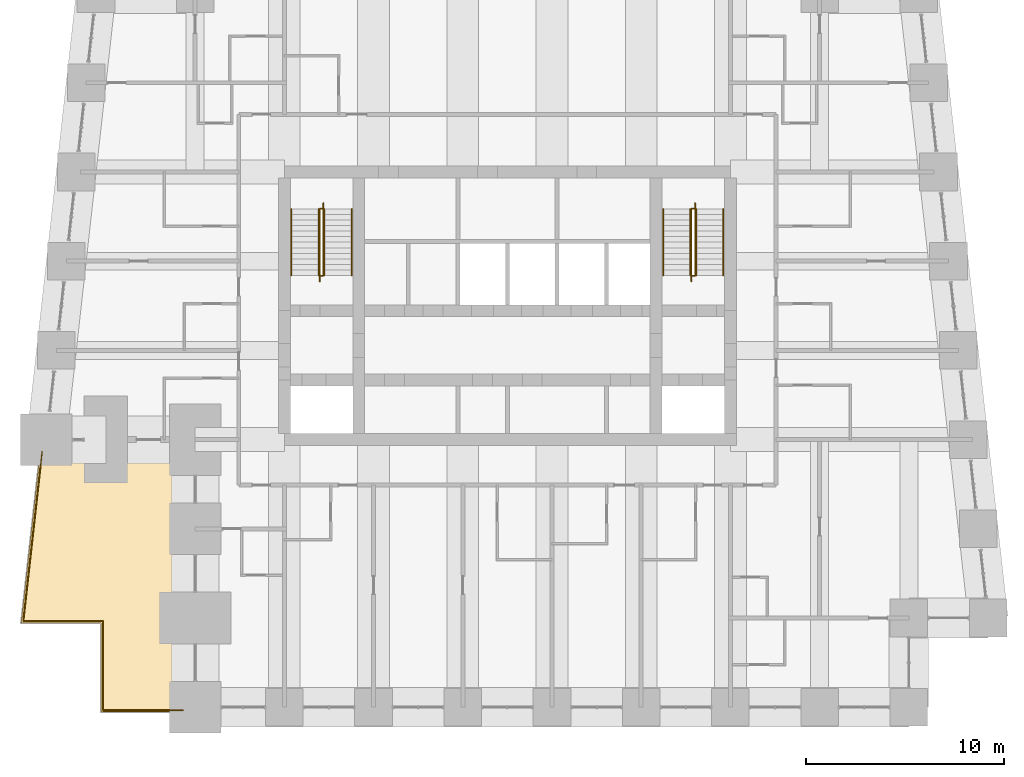
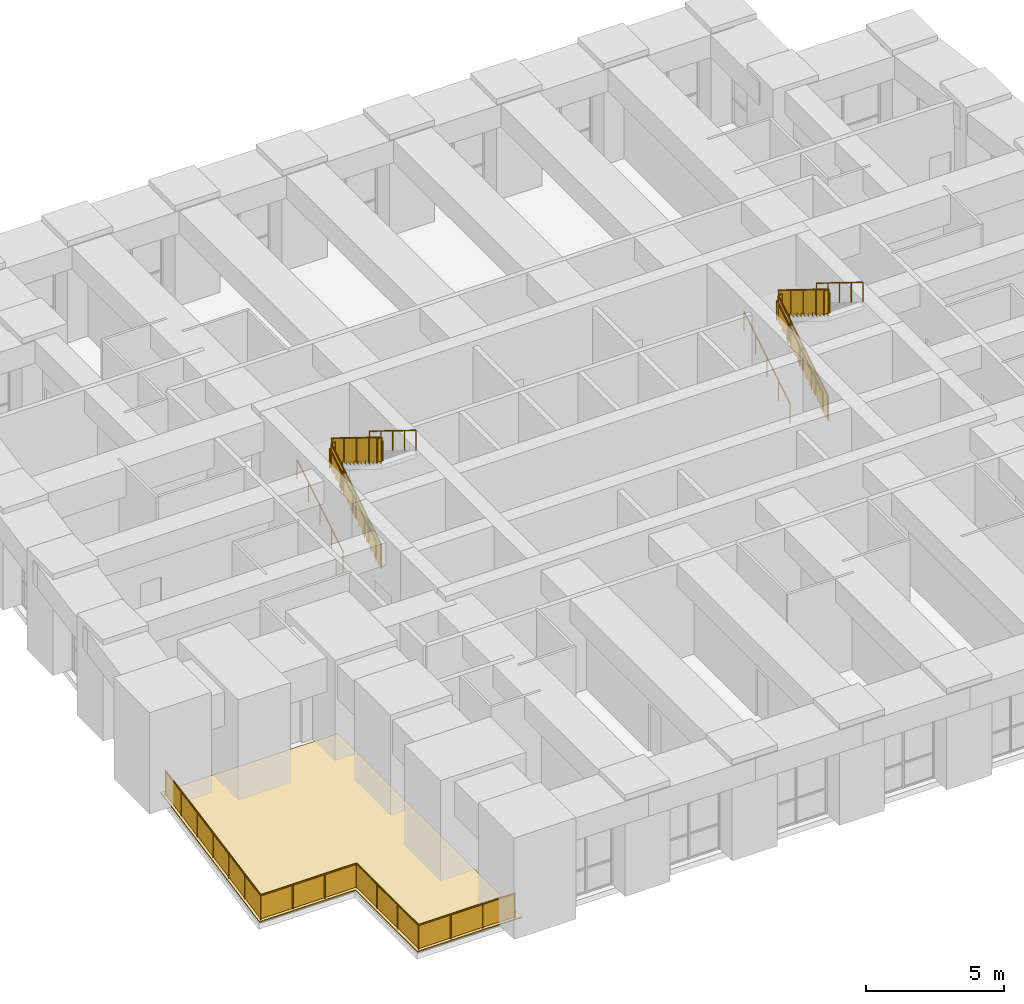
# One storey, part 16 of 16: 13 railings, 1 covering.
"""IFC4 building model written with IfcOpenShell, lengths in metres."""

from ifc_helpers import new_model, si_unit, direction, frame, origin, origin_2d, place, context, subcontext, project, spatial, polyline, circle, outline, extrude, material, layer, layer_set, type_object, element, save


model = new_model("IFC4")

# Units and contexts
model_context = context("Model", 3, precision=1e-05, world=origin(), true_north=direction((0.0, 1.0)))
body_context = subcontext(model_context, "Body", "Model", "MODEL_VIEW")
ifc_project = project(units=[si_unit("LENGTHUNIT", "METRE"), si_unit("AREAUNIT", "SQUARE_METRE"), si_unit("VOLUMEUNIT", "CUBIC_METRE"), si_unit("PLANEANGLEUNIT", "RADIAN"), si_unit("MASSUNIT", "GRAM", prefix="KILO")], contexts=[model_context])

# Site, building, storey
site_placement = place(None, origin())
site = spatial("IfcSite", under=ifc_project, at=site_placement, CompositionType="ELEMENT")
building_placement = place(site_placement, origin())
building = spatial("IfcBuilding", under=site, at=building_placement, Name="Kilele Tower Hotel", CompositionType="ELEMENT")
storey_placement = place(building_placement, frame((0.0, 0.0, 157.89990234375)))
storey = spatial("IfcBuildingStorey", under=building, at=storey_placement, Name="L40", CompositionType="ELEMENT", Elevation=157.89990234375)

# Railings
ifc_material_1 = material(Name="Toughened laminated glass balustrade", Category="glass")
railing_type_1 = type_object("IfcRailingType", Name="Glass balustrade 1100", PredefinedType="BALUSTRADE", material=ifc_material_1)
railing_1_placement = place(storey_placement, frame((8.39990234375, -0.14990234375, 0.050048828125)))
element("IfcRailing", 1, at=railing_1_placement, inside=storey, type_object=railing_type_1, Name="Terrace balustrade", PredefinedType="BALUSTRADE", context=body_context, shape_type="SweptSolid", body=[
    extrude(circle(Radius=0.030029296875, at=origin_2d()), frame((0.0, 0.0, 1.070068359375), z_axis=(-1.0, 0.0, 0.0), x_axis=(0.0, -1.0, 0.0)), (0.0, 0.0, 1.0), 4.0498046875),
    extrude(circle(Radius=0.030029296875, at=origin_2d()), frame((-4.0498046875, 0.0, 1.070068359375), z_axis=(0.0, 1.0, 0.0), x_axis=(-1.0, 0.0, 0.0)), (0.0, 0.0, 1.0), 4.5),
    extrude(circle(Radius=0.030029296875, at=origin_2d()), frame((-4.0498046875, 4.5, 1.070068359375), z_axis=(-1.0, 0.0, 0.0), x_axis=(0.0, -1.0, 0.0)), (0.0, 0.0, 1.0), 4.017578125),
    extrude(circle(Radius=0.030029296875, at=origin_2d()), frame((-8.0673828125, 4.5, 1.070068359375), z_axis=(0.110428411145, 0.993884080772, 0.0), x_axis=(-0.993884080772, 0.110428411145, 0.0)), (0.0, 0.0, 1.0), 8.602294921875),
    extrude(circle(Radius=0.02490234375, at=origin_2d()), origin(), (0.0, 0.0, 1.0), 1.0400390625),
    extrude(circle(Radius=0.02490234375, at=origin_2d()), frame((-1.349853515625, 0.0, 0.0)), (0.0, 0.0, 1.0), 1.0400390625),
    extrude(circle(Radius=0.02490234375, at=origin_2d()), frame((-2.699951171875, 0.0, 0.0)), (0.0, 0.0, 1.0), 1.0400390625),
    extrude(circle(Radius=0.02490234375, at=origin_2d()), frame((-4.0498046875, 0.0, 0.0)), (0.0, 0.0, 1.0), 1.0400390625),
    extrude(circle(Radius=0.02490234375, at=origin_2d()), frame((-4.0498046875, 1.5, 0.0)), (0.0, 0.0, 1.0), 1.0400390625),
    extrude(circle(Radius=0.02490234375, at=origin_2d()), frame((-4.0498046875, 3.0, 0.0)), (0.0, 0.0, 1.0), 1.0400390625),
    extrude(circle(Radius=0.02490234375, at=origin_2d()), frame((-4.0498046875, 4.5, 0.0)), (0.0, 0.0, 1.0), 1.0400390625),
    extrude(circle(Radius=0.02490234375, at=origin_2d()), frame((-5.388916015625, 4.5, 0.0)), (0.0, 0.0, 1.0), 1.0400390625),
    extrude(circle(Radius=0.02490234375, at=origin_2d()), frame((-6.728271484375, 4.5, 0.0)), (0.0, 0.0, 1.0), 1.0400390625),
    extrude(circle(Radius=0.02490234375, at=origin_2d()), frame((-8.0673828125, 4.5, 0.0)), (0.0, 0.0, 1.0), 1.0400390625),
    extrude(circle(Radius=0.02490234375, at=origin_2d()), frame((-7.9091796875, 5.925048828125, 0.0)), (0.0, 0.0, 1.0), 1.0400390625),
    extrude(circle(Radius=0.02490234375, at=origin_2d()), frame((-7.750732421875, 7.349853515625, 0.0)), (0.0, 0.0, 1.0), 1.0400390625),
    extrude(circle(Radius=0.02490234375, at=origin_2d()), frame((-7.59228515625, 8.77490234375, 0.0)), (0.0, 0.0, 1.0), 1.0400390625),
    extrude(circle(Radius=0.02490234375, at=origin_2d()), frame((-7.43408203125, 10.199951171875, 0.0)), (0.0, 0.0, 1.0), 1.0400390625),
    extrude(circle(Radius=0.02490234375, at=origin_2d()), frame((-7.27587890625, 11.624755859375, 0.0)), (0.0, 0.0, 1.0), 1.0400390625),
    extrude(circle(Radius=0.02490234375, at=origin_2d()), frame((-7.117431640625, 13.0498046875, 0.0)), (0.0, 0.0, 1.0), 1.0400390625),
    extrude(outline(polyline([(0.0, 0.030029296875), (4.037353515625, 0.030029296875), (4.037353515625, 1.0400390625), (0.0, 1.0400390625), (0.0, 0.030029296875)])), frame((0.0, -0.0087890625, 0.0), z_axis=(0.0, 1.0, 0.0), x_axis=(-1.0, 0.0, 0.0)), (0.0, 0.0, 1.0), 0.017578125),
    extrude(outline(polyline([(0.012451171875, 0.030029296875), (4.487548828125, 0.030029296875), (4.487548828125, 1.0400390625), (0.012451171875, 1.0400390625), (0.012451171875, 0.030029296875)])), frame((-4.05859375, 0.0, 0.0), z_axis=(1.0, 0.0, 0.0), x_axis=(0.0, 1.0, 0.0)), (0.0, 0.0, 1.0), 0.017578125),
    extrude(outline(polyline([(0.012451171875, 0.030029296875), (4.005126953125, 0.030029296875), (4.005126953125, 1.0400390625), (0.012451171875, 1.0400390625), (0.012451171875, 0.030029296875)])), frame((-4.0498046875, 4.4912109375, 0.0), z_axis=(0.0, 1.0, 0.0), x_axis=(-1.0, 0.0, 0.0)), (0.0, 0.0, 1.0), 0.017578125),
    extrude(outline(polyline([(0.012451171875, 0.030029296875), (8.602294921875, 0.030029296875), (8.602294921875, 1.0400390625), (0.012451171875, 1.0400390625), (0.012451171875, 0.030029296875)])), frame((-8.076171875, 4.5009765625, 0.0), z_axis=(0.993884080772, -0.110428411145, 0.0), x_axis=(0.110428411145, 0.993884080772, 0.0)), (0.0, 0.0, 1.0), 0.017578125),
])
ifc_material_2 = material(Name="Steel handrail", Category="steel")
railing_type_2 = type_object("IfcRailingType", Name="Handrail 900", PredefinedType="HANDRAIL", material=ifc_material_2)
for number, where, name in (
    (2, (13.85009765625, 21.77490234375, 0.173095703125), "Handrail ST1 flight 1"),
    (3, (15.22509765625, 21.77490234375, 0.173095703125), "Handrail ST1 flight 1"),
):
    element("IfcRailing", number, at=place(storey_placement, frame(where)), inside=storey, type_object=railing_type_2, Name=name, PredefinedType="HANDRAIL", context=body_context, shape_type="SweptSolid", body=[
        extrude(circle(Radius=0.02490234375, at=origin_2d()), frame((0.0, 0.0, 0.875), z_axis=(0.0, 0.850623216509, 0.525775754039), x_axis=(-1.0, 0.0, 0.0)), (0.0, 0.0, 1.0), 3.9501953125),
        extrude(circle(Radius=0.02001953125, at=origin_2d()), origin(), (0.0, 0.0, 1.0), 0.849853515625),
        extrude(circle(Radius=0.02001953125, at=origin_2d()), frame((0.0, 0.840087890625, 0.519287109375)), (0.0, 0.0, 1.0), 0.849853515625),
        extrude(circle(Radius=0.02001953125, at=origin_2d()), frame((0.0, 1.68017578125, 1.03857421875)), (0.0, 0.0, 1.0), 0.849853515625),
        extrude(circle(Radius=0.02001953125, at=origin_2d()), frame((0.0, 2.52001953125, 1.5576171875)), (0.0, 0.0, 1.0), 0.849853515625),
        extrude(circle(Radius=0.02001953125, at=origin_2d()), frame((0.0, 3.360107421875, 2.076904296875)), (0.0, 0.0, 1.0), 0.849853515625),
    ])
for number, where, name in (
    (4, (15.52490234375, 25.135009765625, 2.423095703125), "Handrail ST1 flight 2"),
    (5, (16.89990234375, 25.135009765625, 2.423095703125), "Handrail ST1 flight 2"),
):
    element("IfcRailing", number, at=place(storey_placement, frame(where)), inside=storey, type_object=railing_type_2, Name=name, PredefinedType="HANDRAIL", context=body_context, shape_type="SweptSolid", body=[
        extrude(circle(Radius=0.02490234375, at=origin_2d()), frame((0.0, 0.0, 0.875), z_axis=(0.0, -0.850623216509, 0.525775754039), x_axis=(1.0, 0.0, 0.0)), (0.0, 0.0, 1.0), 3.9501953125),
        extrude(circle(Radius=0.02001953125, at=origin_2d()), origin(), (0.0, 0.0, 1.0), 0.849853515625),
        extrude(circle(Radius=0.02001953125, at=origin_2d()), frame((0.0, -0.840087890625, 0.519287109375)), (0.0, 0.0, 1.0), 0.849853515625),
        extrude(circle(Radius=0.02001953125, at=origin_2d()), frame((0.0, -1.68017578125, 1.03857421875)), (0.0, 0.0, 1.0), 0.849853515625),
        extrude(circle(Radius=0.02001953125, at=origin_2d()), frame((0.0, -2.52001953125, 1.5576171875)), (0.0, 0.0, 1.0), 0.849853515625),
        extrude(circle(Radius=0.02001953125, at=origin_2d()), frame((0.0, -3.360107421875, 2.076904296875)), (0.0, 0.0, 1.0), 0.849853515625),
    ])
for number, where, name in (
    (6, (32.60009765625, 21.77490234375, 0.173095703125), "Handrail ST2 flight 1"),
    (7, (33.97509765625, 21.77490234375, 0.173095703125), "Handrail ST2 flight 1"),
):
    element("IfcRailing", number, at=place(storey_placement, frame(where)), inside=storey, type_object=railing_type_2, Name=name, PredefinedType="HANDRAIL", context=body_context, shape_type="SweptSolid", body=[
        extrude(circle(Radius=0.02490234375, at=origin_2d()), frame((0.0, 0.0, 0.875), z_axis=(0.0, 0.850623216509, 0.525775754039), x_axis=(-1.0, 0.0, 0.0)), (0.0, 0.0, 1.0), 3.9501953125),
        extrude(circle(Radius=0.02001953125, at=origin_2d()), origin(), (0.0, 0.0, 1.0), 0.849853515625),
        extrude(circle(Radius=0.02001953125, at=origin_2d()), frame((0.0, 0.840087890625, 0.519287109375)), (0.0, 0.0, 1.0), 0.849853515625),
        extrude(circle(Radius=0.02001953125, at=origin_2d()), frame((0.0, 1.68017578125, 1.03857421875)), (0.0, 0.0, 1.0), 0.849853515625),
        extrude(circle(Radius=0.02001953125, at=origin_2d()), frame((0.0, 2.52001953125, 1.5576171875)), (0.0, 0.0, 1.0), 0.849853515625),
        extrude(circle(Radius=0.02001953125, at=origin_2d()), frame((0.0, 3.360107421875, 2.076904296875)), (0.0, 0.0, 1.0), 0.849853515625),
    ])
for number, where, name in (
    (8, (34.27490234375, 25.135009765625, 2.423095703125), "Handrail ST2 flight 2"),
    (9, (35.64990234375, 25.135009765625, 2.423095703125), "Handrail ST2 flight 2"),
):
    element("IfcRailing", number, at=place(storey_placement, frame(where)), inside=storey, type_object=railing_type_2, Name=name, PredefinedType="HANDRAIL", context=body_context, shape_type="SweptSolid", body=[
        extrude(circle(Radius=0.02490234375, at=origin_2d()), frame((0.0, 0.0, 0.875), z_axis=(0.0, -0.850623216509, 0.525775754039), x_axis=(1.0, 0.0, 0.0)), (0.0, 0.0, 1.0), 3.9501953125),
        extrude(circle(Radius=0.02001953125, at=origin_2d()), origin(), (0.0, 0.0, 1.0), 0.849853515625),
        extrude(circle(Radius=0.02001953125, at=origin_2d()), frame((0.0, -0.840087890625, 0.519287109375)), (0.0, 0.0, 1.0), 0.849853515625),
        extrude(circle(Radius=0.02001953125, at=origin_2d()), frame((0.0, -1.68017578125, 1.03857421875)), (0.0, 0.0, 1.0), 0.849853515625),
        extrude(circle(Radius=0.02001953125, at=origin_2d()), frame((0.0, -2.52001953125, 1.5576171875)), (0.0, 0.0, 1.0), 0.849853515625),
        extrude(circle(Radius=0.02001953125, at=origin_2d()), frame((0.0, -3.360107421875, 2.076904296875)), (0.0, 0.0, 1.0), 0.849853515625),
    ])
ifc_material_3 = material(Name="Steel guard", Category="steel")
railing_type_3 = type_object("IfcRailingType", Name="Stair guard 1100", PredefinedType="GUARDRAIL", material=ifc_material_3)
railing_2_placement = place(storey_placement, frame((15.284912109375, 21.4951171875, 0.0)))
element("IfcRailing", 10, at=railing_2_placement, inside=storey, type_object=railing_type_3, Name="Stair well guard ST1 flight 1", PredefinedType="GUARDRAIL", context=body_context, shape_type="SweptSolid", body=[
    extrude(circle(Radius=0.02490234375, at=origin_2d()), frame((0.0, 0.0, 1.0751953125), z_axis=(0.0, 0.850606632239, 0.525802583857), x_axis=(-1.0, 0.0, 0.0)), (0.0, 0.0, 1.0), 4.279052734375),
    extrude(circle(Radius=0.02490234375, at=origin_2d()), frame((0.0, 3.639892578125, 3.3251953125), z_axis=(1.0, 0.0, 0.0), x_axis=(0.0, 1.0, 0.0)), (0.0, 0.0, 1.0), 0.18017578125),
    extrude(circle(Radius=0.02490234375, at=origin_2d()), origin(), (0.0, 0.0, 1.0), 1.050048828125),
    extrude(circle(Radius=0.02490234375, at=origin_2d()), frame((0.0, 0.909912109375, 0.5625)), (0.0, 0.0, 1.0), 1.050048828125),
    extrude(circle(Radius=0.02490234375, at=origin_2d()), frame((0.0, 1.81982421875, 1.125)), (0.0, 0.0, 1.0), 1.050048828125),
    extrude(circle(Radius=0.02490234375, at=origin_2d()), frame((0.0, 2.72998046875, 1.6875)), (0.0, 0.0, 1.0), 1.050048828125),
    extrude(circle(Radius=0.02490234375, at=origin_2d()), frame((0.0, 3.639892578125, 2.25)), (0.0, 0.0, 1.0), 1.050048828125),
    extrude(circle(Radius=0.02490234375, at=origin_2d()), frame((0.18017578125, 3.639892578125, 2.25)), (0.0, 0.0, 1.0), 1.050048828125),
    extrude(outline(polyline([(0.012451171875, 0.030029296875), (0.25, 0.030029296875), (0.25, 0.203125), (0.530029296875, 0.203125), (0.530029296875, 0.376220703125), (0.81005859375, 0.376220703125), (0.81005859375, 0.54931640625), (1.08984375, 0.54931640625), (1.08984375, 0.722412109375), (1.369873046875, 0.722412109375), (1.369873046875, 0.8955078125), (1.64990234375, 0.8955078125), (1.64990234375, 1.068603515625), (1.929931640625, 1.068603515625), (1.929931640625, 1.241455078125), (2.2099609375, 1.241455078125), (2.2099609375, 1.41455078125), (2.489990234375, 1.41455078125), (2.489990234375, 1.587646484375), (2.769775390625, 1.587646484375), (2.769775390625, 1.7607421875), (3.0498046875, 1.7607421875), (3.0498046875, 1.933837890625), (3.329833984375, 1.933837890625), (3.329833984375, 2.10693359375), (3.60986328125, 2.10693359375), (3.60986328125, 2.280029296875), (3.62744140625, 2.280029296875), (3.62744140625, 3.287841796875), (0.012451171875, 1.053466796875), (0.012451171875, 0.030029296875)])), frame((-0.005859375, 0.0, 0.0), z_axis=(1.0, 0.0, 0.0), x_axis=(0.0, 1.0, 0.0)), (0.0, 0.0, 1.0), 0.011962890625),
    extrude(outline(polyline([(0.012451171875, 0.030029296875), (0.18017578125, 0.030029296875), (0.18017578125, 1.050048828125), (0.012451171875, 1.050048828125), (0.012451171875, 0.030029296875)])), frame((0.0, 3.64599609375, 2.25), z_axis=(0.0, -1.0, 0.0), x_axis=(1.0, 0.0, 0.0)), (0.0, 0.0, 1.0), 0.011962890625),
])
railing_3_placement = place(storey_placement, frame((15.465087890625, 25.4150390625, 2.25)))
element("IfcRailing", 11, at=railing_3_placement, inside=storey, type_object=railing_type_3, Name="Stair well guard ST1 flight 2", PredefinedType="GUARDRAIL", context=body_context, shape_type="SweptSolid", body=[
    extrude(circle(Radius=0.02490234375, at=origin_2d()), frame((0.0, 0.0, 1.0751953125), z_axis=(0.0, -0.850622404505, 0.525777067734), x_axis=(1.0, 0.0, 0.0)), (0.0, 0.0, 1.0), 4.279296875),
    extrude(circle(Radius=0.02490234375, at=origin_2d()), frame((0.0, -3.64013671875, 3.3251953125), z_axis=(-1.0, 0.0, 0.0), x_axis=(0.0, -1.0, 0.0)), (0.0, 0.0, 1.0), 0.18017578125),
    extrude(circle(Radius=0.02490234375, at=origin_2d()), origin(), (0.0, 0.0, 1.0), 1.050048828125),
    extrude(circle(Radius=0.02490234375, at=origin_2d()), frame((0.0, -0.91015625, 0.5625)), (0.0, 0.0, 1.0), 1.050048828125),
    extrude(circle(Radius=0.02490234375, at=origin_2d()), frame((0.0, -1.820068359375, 1.125)), (0.0, 0.0, 1.0), 1.050048828125),
    extrude(circle(Radius=0.02490234375, at=origin_2d()), frame((0.0, -2.72998046875, 1.6875)), (0.0, 0.0, 1.0), 1.050048828125),
    extrude(circle(Radius=0.02490234375, at=origin_2d()), frame((0.0, -3.64013671875, 2.25)), (0.0, 0.0, 1.0), 1.050048828125),
    extrude(circle(Radius=0.02490234375, at=origin_2d()), frame((-0.18017578125, -3.64013671875, 2.25)), (0.0, 0.0, 1.0), 1.050048828125),
    extrude(outline(polyline([(0.0, 0.030029296875), (0.25, 0.030029296875), (0.25, 0.203125), (0.530029296875, 0.203125), (0.530029296875, 0.376220703125), (0.81005859375, 0.376220703125), (0.81005859375, 0.54931640625), (1.090087890625, 0.54931640625), (1.090087890625, 0.722412109375), (1.3701171875, 0.722412109375), (1.3701171875, 0.8955078125), (1.650146484375, 0.8955078125), (1.650146484375, 1.068603515625), (1.929931640625, 1.068603515625), (1.929931640625, 1.241455078125), (2.2099609375, 1.241455078125), (2.2099609375, 1.41455078125), (2.489990234375, 1.41455078125), (2.489990234375, 1.587646484375), (2.77001953125, 1.587646484375), (2.77001953125, 1.7607421875), (3.050048828125, 1.7607421875), (3.050048828125, 1.933837890625), (3.330078125, 1.933837890625), (3.330078125, 2.10693359375), (3.610107421875, 2.10693359375), (3.610107421875, 2.280029296875), (3.627685546875, 2.280029296875), (3.627685546875, 3.287841796875), (0.0, 1.045654296875), (0.0, 0.030029296875)])), frame((0.005859375, 0.0, 0.0), z_axis=(-1.0, 0.0, 0.0), x_axis=(0.0, -1.0, 0.0)), (0.0, 0.0, 1.0), 0.011962890625),
    extrude(outline(polyline([(0.012451171875, 0.030029296875), (0.18017578125, 0.030029296875), (0.18017578125, 1.050048828125), (0.012451171875, 1.050048828125), (0.012451171875, 0.030029296875)])), frame((0.0, -3.64599609375, 2.25), z_axis=(0.0, 1.0, 0.0), x_axis=(-1.0, 0.0, 0.0)), (0.0, 0.0, 1.0), 0.011962890625),
])
railing_4_placement = place(storey_placement, frame((34.034912109375, 21.4951171875, 0.0)))
element("IfcRailing", 12, at=railing_4_placement, inside=storey, type_object=railing_type_3, Name="Stair well guard ST2 flight 1", PredefinedType="GUARDRAIL", context=body_context, shape_type="SweptSolid", body=[
    extrude(circle(Radius=0.02490234375, at=origin_2d()), frame((0.0, 0.0, 1.0751953125), z_axis=(0.0, 0.850606632239, 0.525802583857), x_axis=(-1.0, 0.0, 0.0)), (0.0, 0.0, 1.0), 4.279052734375),
    extrude(circle(Radius=0.02490234375, at=origin_2d()), frame((0.0, 3.639892578125, 3.3251953125), z_axis=(1.0, 0.0, 0.0), x_axis=(0.0, 1.0, 0.0)), (0.0, 0.0, 1.0), 0.18017578125),
    extrude(circle(Radius=0.02490234375, at=origin_2d()), origin(), (0.0, 0.0, 1.0), 1.050048828125),
    extrude(circle(Radius=0.02490234375, at=origin_2d()), frame((0.0, 0.909912109375, 0.5625)), (0.0, 0.0, 1.0), 1.050048828125),
    extrude(circle(Radius=0.02490234375, at=origin_2d()), frame((0.0, 1.81982421875, 1.125)), (0.0, 0.0, 1.0), 1.050048828125),
    extrude(circle(Radius=0.02490234375, at=origin_2d()), frame((0.0, 2.72998046875, 1.6875)), (0.0, 0.0, 1.0), 1.050048828125),
    extrude(circle(Radius=0.02490234375, at=origin_2d()), frame((0.0, 3.639892578125, 2.25)), (0.0, 0.0, 1.0), 1.050048828125),
    extrude(circle(Radius=0.02490234375, at=origin_2d()), frame((0.18017578125, 3.639892578125, 2.25)), (0.0, 0.0, 1.0), 1.050048828125),
    extrude(outline(polyline([(0.012451171875, 0.030029296875), (0.25, 0.030029296875), (0.25, 0.203125), (0.530029296875, 0.203125), (0.530029296875, 0.376220703125), (0.81005859375, 0.376220703125), (0.81005859375, 0.54931640625), (1.08984375, 0.54931640625), (1.08984375, 0.722412109375), (1.369873046875, 0.722412109375), (1.369873046875, 0.8955078125), (1.64990234375, 0.8955078125), (1.64990234375, 1.068603515625), (1.929931640625, 1.068603515625), (1.929931640625, 1.241455078125), (2.2099609375, 1.241455078125), (2.2099609375, 1.41455078125), (2.489990234375, 1.41455078125), (2.489990234375, 1.587646484375), (2.769775390625, 1.587646484375), (2.769775390625, 1.7607421875), (3.0498046875, 1.7607421875), (3.0498046875, 1.933837890625), (3.329833984375, 1.933837890625), (3.329833984375, 2.10693359375), (3.60986328125, 2.10693359375), (3.60986328125, 2.280029296875), (3.62744140625, 2.280029296875), (3.62744140625, 3.287841796875), (0.012451171875, 1.053466796875), (0.012451171875, 0.030029296875)])), frame((-0.005859375, 0.0, 0.0), z_axis=(1.0, 0.0, 0.0), x_axis=(0.0, 1.0, 0.0)), (0.0, 0.0, 1.0), 0.011962890625),
    extrude(outline(polyline([(0.012451171875, 0.030029296875), (0.18017578125, 0.030029296875), (0.18017578125, 1.050048828125), (0.012451171875, 1.050048828125), (0.012451171875, 0.030029296875)])), frame((0.0, 3.64599609375, 2.25), z_axis=(0.0, -1.0, 0.0), x_axis=(1.0, 0.0, 0.0)), (0.0, 0.0, 1.0), 0.011962890625),
])
railing_5_placement = place(storey_placement, frame((34.215087890625, 25.4150390625, 2.25)))
element("IfcRailing", 13, at=railing_5_placement, inside=storey, type_object=railing_type_3, Name="Stair well guard ST2 flight 2", PredefinedType="GUARDRAIL", context=body_context, shape_type="SweptSolid", body=[
    extrude(circle(Radius=0.02490234375, at=origin_2d()), frame((0.0, 0.0, 1.0751953125), z_axis=(0.0, -0.850622404505, 0.525777067734), x_axis=(1.0, 0.0, 0.0)), (0.0, 0.0, 1.0), 4.279296875),
    extrude(circle(Radius=0.02490234375, at=origin_2d()), frame((0.0, -3.64013671875, 3.3251953125), z_axis=(-1.0, 0.0, 0.0), x_axis=(0.0, -1.0, 0.0)), (0.0, 0.0, 1.0), 0.18017578125),
    extrude(circle(Radius=0.02490234375, at=origin_2d()), origin(), (0.0, 0.0, 1.0), 1.050048828125),
    extrude(circle(Radius=0.02490234375, at=origin_2d()), frame((0.0, -0.91015625, 0.5625)), (0.0, 0.0, 1.0), 1.050048828125),
    extrude(circle(Radius=0.02490234375, at=origin_2d()), frame((0.0, -1.820068359375, 1.125)), (0.0, 0.0, 1.0), 1.050048828125),
    extrude(circle(Radius=0.02490234375, at=origin_2d()), frame((0.0, -2.72998046875, 1.6875)), (0.0, 0.0, 1.0), 1.050048828125),
    extrude(circle(Radius=0.02490234375, at=origin_2d()), frame((0.0, -3.64013671875, 2.25)), (0.0, 0.0, 1.0), 1.050048828125),
    extrude(circle(Radius=0.02490234375, at=origin_2d()), frame((-0.18017578125, -3.64013671875, 2.25)), (0.0, 0.0, 1.0), 1.050048828125),
    extrude(outline(polyline([(0.0, 0.030029296875), (0.25, 0.030029296875), (0.25, 0.203125), (0.530029296875, 0.203125), (0.530029296875, 0.376220703125), (0.81005859375, 0.376220703125), (0.81005859375, 0.54931640625), (1.090087890625, 0.54931640625), (1.090087890625, 0.722412109375), (1.3701171875, 0.722412109375), (1.3701171875, 0.8955078125), (1.650146484375, 0.8955078125), (1.650146484375, 1.068603515625), (1.929931640625, 1.068603515625), (1.929931640625, 1.241455078125), (2.2099609375, 1.241455078125), (2.2099609375, 1.41455078125), (2.489990234375, 1.41455078125), (2.489990234375, 1.587646484375), (2.77001953125, 1.587646484375), (2.77001953125, 1.7607421875), (3.050048828125, 1.7607421875), (3.050048828125, 1.933837890625), (3.330078125, 1.933837890625), (3.330078125, 2.10693359375), (3.610107421875, 2.10693359375), (3.610107421875, 2.280029296875), (3.627685546875, 2.280029296875), (3.627685546875, 3.287841796875), (0.0, 1.045654296875), (0.0, 0.030029296875)])), frame((0.005859375, 0.0, 0.0), z_axis=(-1.0, 0.0, 0.0), x_axis=(0.0, -1.0, 0.0)), (0.0, 0.0, 1.0), 0.011962890625),
    extrude(outline(polyline([(0.012451171875, 0.030029296875), (0.18017578125, 0.030029296875), (0.18017578125, 1.050048828125), (0.012451171875, 1.050048828125), (0.012451171875, 0.030029296875)])), frame((0.0, -3.64599609375, 2.25), z_axis=(0.0, 1.0, 0.0), x_axis=(-1.0, 0.0, 0.0)), (0.0, 0.0, 1.0), 0.011962890625),
])

# Covering
ifc_material_4 = material(Name="Natural stone paving on pedestals", Category="masonry")
ifc_layer = layer(ifc_material_4, 0.050048828125)
ifc_layer_set = layer_set([ifc_layer], Name="Natural stone paving on pedestals")
covering_type = type_object("IfcCoveringType", Name="Terrace paving 50", PredefinedType="FLOORING", material=ifc_layer_set)
covering_placement = place(storey_placement, origin())
element("IfcCovering", 14, at=covering_placement, inside=storey, type_object=covering_type, Name="Terrace paving", PredefinedType="FLOORING", context=body_context, shape_type="SweptSolid", body=[
    extrude(outline(polyline([(1.20947265625, 13.14892578125), (8.64892578125, 13.14892578125), (8.64892578125, -0.25), (4.25, -0.25), (4.25, 4.25), (0.220703125, 4.25), (1.20947265625, 13.14892578125)])), origin(), (0.0, 0.0, 1.0), 0.050048828125),
])

save(model, "model.ifc")
